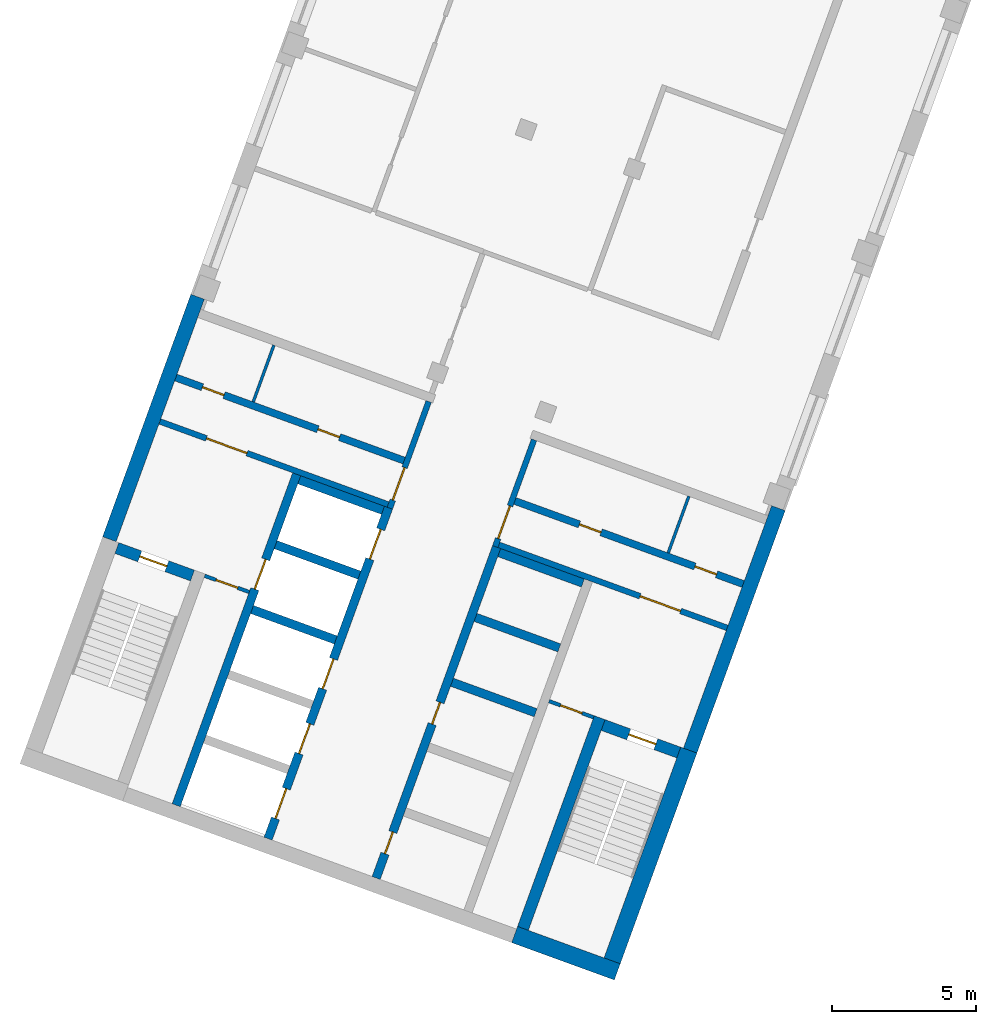
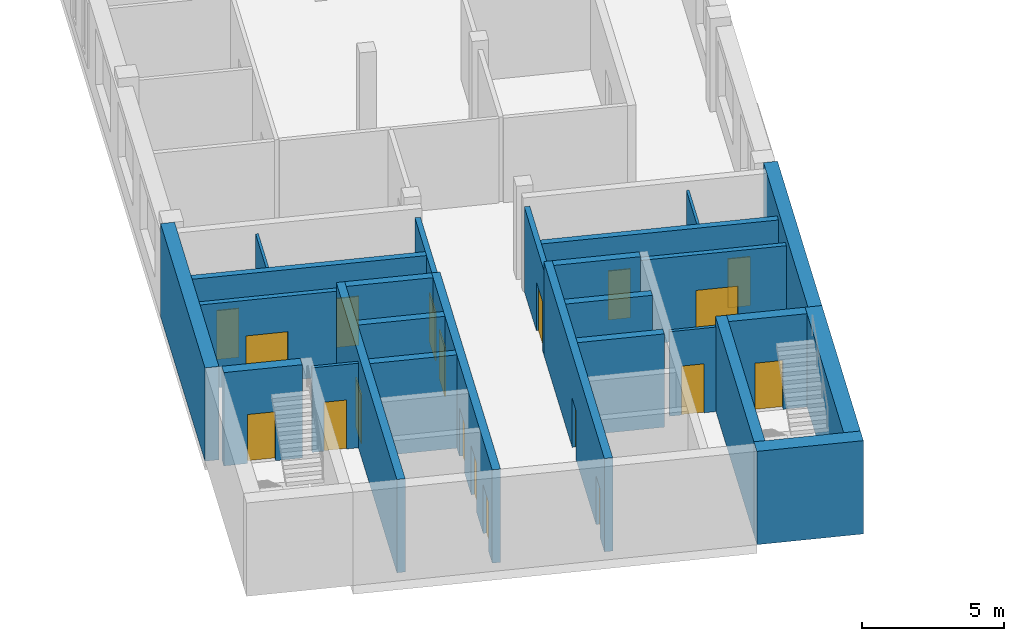
# One storey, part 2 of 8: 26 walls, 19 doors, 19 openings.
"""IFC4 building model written with IfcOpenShell, lengths in metres."""

from ifc_helpers import new_model, si_unit, direction, frame, frame_2d, origin, place, context, subcontext, project, spatial, rectangle, extrude, material, layer, layer_set, type_object, element, fill, save


model = new_model("IFC4")

# Units and contexts
model_context = context("Model", 3, precision=1e-05, world=origin(), true_north=direction((0.0, 1.0)))
body_context = subcontext(model_context, "Body", "Model", "MODEL_VIEW")
ifc_project = project(units=[si_unit("LENGTHUNIT", "METRE"), si_unit("AREAUNIT", "SQUARE_METRE"), si_unit("VOLUMEUNIT", "CUBIC_METRE"), si_unit("PLANEANGLEUNIT", "RADIAN"), si_unit("MASSUNIT", "GRAM", prefix="KILO")], contexts=[model_context])

# Site, building, storey
site_placement = place(None, origin())
site = spatial("IfcSite", under=ifc_project, at=site_placement, CompositionType="ELEMENT")
building_placement = place(site_placement, origin())
building = spatial("IfcBuilding", under=site, at=building_placement, Name="Skarvind Civic Tower", CompositionType="ELEMENT")
storey_placement = place(building_placement, frame((0.0, 0.0, 200.0)))
storey = spatial("IfcBuildingStorey", under=building, at=storey_placement, Name="L47", CompositionType="ELEMENT", Elevation=200.0)

# Wall, opening, door
ifc_material_1 = material(Name="Fire-rated masonry partition", Category="masonry")
ifc_layer_1 = layer(ifc_material_1, 0.199951171875)
ifc_layer_set_1 = layer_set([ifc_layer_1], Name="Core enclosure wall 200")
wall_type_1 = type_object("IfcWallType", Name="Core enclosure wall 200", PredefinedType="PARTITIONING", material=ifc_layer_set_1)
wall_1_placement = place(storey_placement, frame((31.42724609375, 93.663330078125, 0.0), z_axis=(0.0, 0.0, 1.0), x_axis=(0.342030870568, 0.93968871632, 0.0)))
wall_1 = element("IfcWall", 1, at=wall_1_placement, inside=storey, type_object=wall_type_1, Name="Core wall C2", PredefinedType="PARTITIONING", context=body_context, shape_type="SweptSolid", body=[
    extrude(rectangle(XDim=3.9501953125, YDim=0.199951171875, at=frame_2d((1.97509765625, 0.0))), origin(), (0.0, 0.0, 1.0), 3.625),
])
opening_1_placement = place(wall_1_placement, frame((0.300048828125, 0.0, 0.0)))
opening_1 = element("IfcOpeningElement", 2, at=opening_1_placement, cuts=wall_1, Name="Opening D-L47-C2-07", PredefinedType="OPENING", context=body_context, shape_type="SweptSolid", body=[
    extrude(rectangle(XDim=1.199951171875, YDim=2.10009765625, at=frame_2d((0.60009765625, 1.050048828125))), frame((0.0, 0.10986328125, 0.0), z_axis=(0.0, -1.0, 0.0), x_axis=(1.0, 0.0, 0.0)), (0.0, 0.0, 1.0), 0.219970703125),
])
ifc_material_2 = material(Name="Fire-rated steel door", Category="steel")
door_type_1 = type_object("IfcDoorType", Name="Core lobby door 1200", OperationType="NOTDEFINED", PredefinedType="DOOR", material=ifc_material_2)
door_1_placement = place(opening_1_placement, origin())
door_1 = element("IfcDoor", 3, at=door_1_placement, inside=storey, type_object=door_type_1, Name="Fire door", OperationType="DOUBLE_DOOR_SINGLE_SWING", OverallHeight=2.10009765625, OverallWidth=1.199951171875, PredefinedType="DOOR", context=body_context, shape_type="SweptSolid", body=[
    extrude(rectangle(XDim=1.199951171875, YDim=2.10009765625, at=frame_2d((0.60009765625, 1.050048828125))), frame((0.0, 0.02490234375, 0.0), z_axis=(0.0, -1.0, 0.0), x_axis=(1.0, 0.0, 0.0)), (0.0, 0.0, 1.0), 0.050048828125),
])
fill(opening_1, door_1)

wall_2_placement = place(storey_placement, frame((23.42724609375, 96.681640625, 0.0), z_axis=(0.0, 0.0, 1.0), x_axis=(0.939690465531, -0.342026064782, 0.0)))
wall_2 = element("IfcWall", 4, at=wall_2_placement, inside=storey, type_object=wall_type_1, Name="Core wall C2", PredefinedType="PARTITIONING", context=body_context, shape_type="SweptSolid", body=[
    extrude(rectangle(XDim=8.449951171875, YDim=0.199951171875, at=frame_2d((4.22509765625, 0.0))), origin(), (0.0, 0.0, 1.0), 3.625),
])
opening_2_placement = place(wall_2_placement, frame((1.72509765625, 0.0, 0.0)))
opening_2 = element("IfcOpeningElement", 5, at=opening_2_placement, cuts=wall_2, Name="Opening D-L47-C2-08", PredefinedType="OPENING", context=body_context, shape_type="SweptSolid", body=[
    extrude(rectangle(XDim=1.5, YDim=2.10009765625, at=frame_2d((0.75, 1.050048828125))), frame((0.0, 0.10986328125, 0.0), z_axis=(0.0, -1.0, 0.0), x_axis=(1.0, 0.0, 0.0)), (0.0, 0.0, 1.0), 0.219970703125),
])
door_type_2 = type_object("IfcDoorType", Name="Fire door 1500", OperationType="NOTDEFINED", PredefinedType="DOOR", material=ifc_material_2)
door_2_placement = place(opening_2_placement, origin())
door_2 = element("IfcDoor", 6, at=door_2_placement, inside=storey, type_object=door_type_2, Name="Fire door", OperationType="DOUBLE_DOOR_SINGLE_SWING", OverallHeight=2.10009765625, OverallWidth=1.5, PredefinedType="DOOR", context=body_context, shape_type="SweptSolid", body=[
    extrude(rectangle(XDim=1.5, YDim=2.10009765625, at=frame_2d((0.75, 1.050048828125))), frame((0.0, 0.02490234375, 0.0), z_axis=(0.0, -1.0, 0.0), x_axis=(1.0, 0.0, 0.0)), (0.0, 0.0, 1.0), 0.050048828125),
])
fill(opening_2, door_2)

wall_3_placement = place(storey_placement, frame((36.443115234375, 96.041259765625, 0.0), z_axis=(0.0, 0.0, 1.0), x_axis=(-0.341996156931, -0.939701350773, 0.0)))
wall_3 = element("IfcWall", 7, at=wall_3_placement, inside=storey, type_object=wall_type_1, Name="Core wall C2", PredefinedType="PARTITIONING", context=body_context, shape_type="SweptSolid", body=[
    extrude(rectangle(XDim=3.949951171875, YDim=0.199951171875, at=frame_2d((1.97509765625, 0.0))), origin(), (0.0, 0.0, 1.0), 3.625),
])
opening_3_placement = place(wall_3_placement, frame((2.449951171875, 0.0, 0.0)))
opening_3 = element("IfcOpeningElement", 8, at=opening_3_placement, cuts=wall_3, Name="Opening D-L47-C2-13", PredefinedType="OPENING", context=body_context, shape_type="SweptSolid", body=[
    extrude(rectangle(XDim=1.199951171875, YDim=2.10009765625, at=frame_2d((0.60009765625, 1.050048828125))), frame((0.0, 0.10986328125, 0.0), z_axis=(0.0, -1.0, 0.0), x_axis=(1.0, 0.0, 0.0)), (0.0, 0.0, 1.0), 0.219970703125),
])
door_3_placement = place(opening_3_placement, origin())
door_3 = element("IfcDoor", 9, at=door_3_placement, inside=storey, type_object=door_type_1, Name="Fire door", OperationType="DOUBLE_DOOR_SINGLE_SWING", OverallHeight=2.10009765625, OverallWidth=1.199951171875, PredefinedType="DOOR", context=body_context, shape_type="SweptSolid", body=[
    extrude(rectangle(XDim=1.199951171875, YDim=2.10009765625, at=frame_2d((0.60009765625, 1.050048828125))), frame((0.0, 0.02490234375, 0.0), z_axis=(0.0, -1.0, 0.0), x_axis=(1.0, 0.0, 0.0)), (0.0, 0.0, 1.0), 0.050048828125),
])
fill(opening_3, door_3)

wall_4_placement = place(storey_placement, frame((35.22021484375, 92.389404296875, 0.0), z_axis=(0.0, 0.0, 1.0), x_axis=(0.939690465531, -0.342026064782, 0.0)))
wall_4 = element("IfcWall", 10, at=wall_4_placement, inside=storey, type_object=wall_type_1, Name="Core wall C2", PredefinedType="PARTITIONING", context=body_context, shape_type="SweptSolid", body=[
    extrude(rectangle(XDim=8.449951171875, YDim=0.199951171875, at=frame_2d((4.22509765625, 0.0))), origin(), (0.0, 0.0, 1.0), 3.625),
])
opening_4_placement = place(wall_4_placement, frame((5.22509765625, 0.0, 0.0)))
opening_4 = element("IfcOpeningElement", 11, at=opening_4_placement, cuts=wall_4, Name="Opening D-L47-C2-14", PredefinedType="OPENING", context=body_context, shape_type="SweptSolid", body=[
    extrude(rectangle(XDim=1.5, YDim=2.10009765625, at=frame_2d((0.75, 1.050048828125))), frame((0.0, 0.10986328125, 0.0), z_axis=(0.0, -1.0, 0.0), x_axis=(1.0, 0.0, 0.0)), (0.0, 0.0, 1.0), 0.219970703125),
])
door_4_placement = place(opening_4_placement, origin())
door_4 = element("IfcDoor", 12, at=door_4_placement, inside=storey, type_object=door_type_2, Name="Fire door", OperationType="DOUBLE_DOOR_SINGLE_SWING", OverallHeight=2.10009765625, OverallWidth=1.5, PredefinedType="DOOR", context=body_context, shape_type="SweptSolid", body=[
    extrude(rectangle(XDim=1.5, YDim=2.10009765625, at=frame_2d((0.75, 1.050048828125))), frame((0.0, 0.02490234375, 0.0), z_axis=(0.0, -1.0, 0.0), x_axis=(1.0, 0.0, 0.0)), (0.0, 0.0, 1.0), 0.050048828125),
])
fill(opening_4, door_4)

# Walls
ifc_material_3 = material(Name="Fire-rated plasterboard partition")
ifc_layer_2 = layer(ifc_material_3, 0.10009765625)
ifc_layer_set_2 = layer_set([ifc_layer_2], Name="Core partition wall 100")
wall_type_2 = type_object("IfcWallType", Name="Core partition wall 100", PredefinedType="PARTITIONING", material=ifc_layer_set_2)
for number, where, z_axis, x_axis, name in (
    (13, (26.675537109375, 97.361572265625, 0.0), (0.0, 0.0, 1.0), (0.342023078919, 0.939691552312, 0.0), "Core wall C2"),
    (14, (41.82763671875, 94.08154296875, 0.0), (0.0, 0.0, 1.0), (-0.342023078919, -0.939691552312, 0.0), "Core wall C2"),
):
    element("IfcWall", number, at=place(storey_placement, frame(where, z_axis=z_axis, x_axis=x_axis)), inside=storey, type_object=wall_type_2, Name=name, PredefinedType="PARTITIONING", context=body_context, shape_type="SweptSolid", body=[
        extrude(rectangle(XDim=2.10009765625, YDim=0.10009765625, at=frame_2d((1.050048828125, 0.0))), origin(), (0.0, 0.0, 1.0), 3.625),
    ])

# Wall, openings, doors
ifc_material_4 = material(Name="Concrete C60", Category="concrete")
ifc_layer_3 = layer(ifc_material_4, 0.300048828125)
ifc_layer_set_3 = layer_set([ifc_layer_3], Name="Core wall 300 C60")
wall_type_3 = type_object("IfcWallType", Name="Core wall 300 C60", PredefinedType="SHEAR", material=ifc_layer_set_3)
wall_5_placement = place(storey_placement, frame((30.949462890625, 80.80126953125, 0.0), z_axis=(0.0, 0.0, 1.0), x_axis=(0.342016684409, 0.939693879721, 0.0)))
wall_5 = element("IfcWall", 15, at=wall_5_placement, inside=storey, type_object=wall_type_3, Name="Core wall C2 south lift row front L47", PredefinedType="SHEAR", context=body_context, shape_type="SweptSolid", body=[
    extrude(rectangle(XDim=12.25, YDim=0.300048828125, at=frame_2d((6.125, 0.0))), origin(), (0.0, 0.0, 1.0), 4.0),
])
opening_5_placement = place(wall_5_placement, frame((0.89990234375, 0.0, 0.0)))
opening_5 = element("IfcOpeningElement", 16, at=opening_5_placement, cuts=wall_5, Name="Opening D-L47-C2-05", PredefinedType="OPENING", context=body_context, shape_type="SweptSolid", body=[
    extrude(rectangle(XDim=0.800048828125, YDim=2.10009765625, at=frame_2d((0.39990234375, 1.050048828125))), frame((0.0, 0.159912109375, 0.0), z_axis=(0.0, -1.0, 0.0), x_axis=(1.0, 0.0, 0.0)), (0.0, 0.0, 1.0), 0.320068359375),
])
opening_6_placement = place(wall_5_placement, frame((5.699951171875, 0.0, 0.0)))
opening_6 = element("IfcOpeningElement", 17, at=opening_6_placement, cuts=wall_5, Name="Opening D-L47-C2-06", PredefinedType="OPENING", context=body_context, shape_type="SweptSolid", body=[
    extrude(rectangle(XDim=0.800048828125, YDim=2.10009765625, at=frame_2d((0.39990234375, 1.050048828125))), frame((0.0, 0.159912109375, 0.0), z_axis=(0.0, -1.0, 0.0), x_axis=(1.0, 0.0, 0.0)), (0.0, 0.0, 1.0), 0.320068359375),
])
door_type_3 = type_object("IfcDoorType", Name="Core riser door 800", OperationType="NOTDEFINED", PredefinedType="DOOR", material=ifc_material_2)
door_5_placement = place(opening_5_placement, origin())
door_5 = element("IfcDoor", 18, at=door_5_placement, inside=storey, type_object=door_type_3, Name="Riser door", OperationType="SINGLE_SWING_LEFT", OverallHeight=2.10009765625, OverallWidth=0.800048828125, PredefinedType="DOOR", context=body_context, shape_type="SweptSolid", body=[
    extrude(rectangle(XDim=0.800048828125, YDim=2.10009765625, at=frame_2d((0.39990234375, 1.050048828125))), frame((0.0, 0.02490234375, 0.0), z_axis=(0.0, -1.0, 0.0), x_axis=(1.0, 0.0, 0.0)), (0.0, 0.0, 1.0), 0.050048828125),
])
fill(opening_5, door_5)
door_6_placement = place(opening_6_placement, origin())
door_6 = element("IfcDoor", 19, at=door_6_placement, inside=storey, type_object=door_type_3, Name="Riser door", OperationType="SINGLE_SWING_RIGHT", OverallHeight=2.10009765625, OverallWidth=0.800048828125, PredefinedType="DOOR", context=body_context, shape_type="SweptSolid", body=[
    extrude(rectangle(XDim=0.800048828125, YDim=2.10009765625, at=frame_2d((0.39990234375, 1.050048828125))), frame((0.0, 0.02490234375, 0.0), z_axis=(0.0, -1.0, 0.0), x_axis=(1.0, 0.0, 0.0)), (0.0, 0.0, 1.0), 0.050048828125),
])
fill(opening_6, door_6)

# Walls
for number, where, z_axis, x_axis, name in (
    (20, (36.500244140625, 86.54931640625, 0.0), (0.0, 0.0, 1.0), (-0.939689908313, 0.342027595692, 0.0), "Core wall C2 south lift row division 3 L47"),
    (21, (37.321044921875, 88.8046875, 0.0), (0.0, 0.0, 1.0), (-0.939689908313, 0.342027595692, 0.0), "Core wall C2 south lift row division 4 L47"),
    (22, (38.141845703125, 91.059814453125, 0.0), (0.0, 0.0, 1.0), (-0.939689908313, 0.342027595692, 0.0), "Core wall C2 south lift row division 5 L47"),
):
    element("IfcWall", number, at=place(storey_placement, frame(where, z_axis=z_axis, x_axis=x_axis)), inside=storey, type_object=wall_type_3, Name=name, PredefinedType="SHEAR", context=body_context, shape_type="SweptSolid", body=[
        extrude(rectangle(XDim=3.10009765625, YDim=0.300048828125, at=frame_2d((1.550048828125, 0.0))), origin(), (0.0, 0.0, 1.0), 4.0),
    ])

# Wall, openings, doors
wall_6_placement = place(storey_placement, frame((27.190673828125, 82.169189453125, 0.0), z_axis=(0.0, 0.0, 1.0), x_axis=(0.342016684409, 0.939693879721, 0.0)))
wall_6 = element("IfcWall", 23, at=wall_6_placement, inside=storey, type_object=wall_type_3, Name="Core wall C2 north lift row front L47", PredefinedType="SHEAR", context=body_context, shape_type="SweptSolid", body=[
    extrude(rectangle(XDim=12.25, YDim=0.300048828125, at=frame_2d((6.125, 0.0))), origin(), (0.0, 0.0, 1.0), 4.0),
])
opening_7_placement = place(wall_6_placement, frame((0.75, 0.0, 0.0)))
opening_7 = element("IfcOpeningElement", 24, at=opening_7_placement, cuts=wall_6, Name="Opening LD49201", PredefinedType="OPENING", context=body_context, shape_type="SweptSolid", body=[
    extrude(rectangle(XDim=1.10009765625, YDim=2.10009765625, at=frame_2d((0.550048828125, 1.050048828125))), frame((0.0, 0.159912109375, 0.0), z_axis=(0.0, -1.0, 0.0), x_axis=(1.0, 0.0, 0.0)), (0.0, 0.0, 1.0), 0.320068359375),
])
opening_8_placement = place(wall_6_placement, frame((3.14990234375, 0.0, 0.0)))
opening_8 = element("IfcOpeningElement", 25, at=opening_8_placement, cuts=wall_6, Name="Opening LD49202", PredefinedType="OPENING", context=body_context, shape_type="SweptSolid", body=[
    extrude(rectangle(XDim=1.10009765625, YDim=2.10009765625, at=frame_2d((0.550048828125, 1.050048828125))), frame((0.0, 0.159912109375, 0.0), z_axis=(0.0, -1.0, 0.0), x_axis=(1.0, 0.0, 0.0)), (0.0, 0.0, 1.0), 0.320068359375),
])
opening_9_placement = place(wall_6_placement, frame((5.550048828125, 0.0, 0.0)))
opening_9 = element("IfcOpeningElement", 26, at=opening_9_placement, cuts=wall_6, Name="Opening LD49203", PredefinedType="OPENING", context=body_context, shape_type="SweptSolid", body=[
    extrude(rectangle(XDim=1.10009765625, YDim=2.10009765625, at=frame_2d((0.550048828125, 1.050048828125))), frame((0.0, 0.159912109375, 0.0), z_axis=(0.0, -1.0, 0.0), x_axis=(1.0, 0.0, 0.0)), (0.0, 0.0, 1.0), 0.320068359375),
])
opening_10_placement = place(wall_6_placement, frame((10.35009765625, 0.0, 0.0)))
opening_10 = element("IfcOpeningElement", 27, at=opening_10_placement, cuts=wall_6, Name="Opening LD49205", PredefinedType="OPENING", context=body_context, shape_type="SweptSolid", body=[
    extrude(rectangle(XDim=1.10009765625, YDim=2.10009765625, at=frame_2d((0.550048828125, 1.050048828125))), frame((0.0, 0.159912109375, 0.0), z_axis=(0.0, -1.0, 0.0), x_axis=(1.0, 0.0, 0.0)), (0.0, 0.0, 1.0), 0.320068359375),
])
ifc_material_5 = material(Name="Stainless steel landing door", Category="steel")
door_type_4 = type_object("IfcDoorType", Name="Lift landing door 1100", OperationType="DOUBLE_DOOR_SLIDING", PredefinedType="DOOR", material=ifc_material_5)
door_7_placement = place(opening_7_placement, origin())
door_7 = element("IfcDoor", 28, at=door_7_placement, inside=storey, type_object=door_type_4, Name="Lift landing door", OperationType="DOUBLE_DOOR_SLIDING", OverallHeight=2.10009765625, OverallWidth=1.10009765625, PredefinedType="DOOR", context=body_context, shape_type="SweptSolid", body=[
    extrude(rectangle(XDim=1.10009765625, YDim=2.10009765625, at=frame_2d((0.550048828125, 1.050048828125))), frame((0.0, 0.02490234375, 0.0), z_axis=(0.0, -1.0, 0.0), x_axis=(1.0, 0.0, 0.0)), (0.0, 0.0, 1.0), 0.050048828125),
])
fill(opening_7, door_7)
door_8_placement = place(opening_8_placement, origin())
door_8 = element("IfcDoor", 29, at=door_8_placement, inside=storey, type_object=door_type_4, Name="Lift landing door", OperationType="DOUBLE_DOOR_SLIDING", OverallHeight=2.10009765625, OverallWidth=1.10009765625, PredefinedType="DOOR", context=body_context, shape_type="SweptSolid", body=[
    extrude(rectangle(XDim=1.10009765625, YDim=2.10009765625, at=frame_2d((0.550048828125, 1.050048828125))), frame((0.0, 0.02490234375, 0.0), z_axis=(0.0, -1.0, 0.0), x_axis=(1.0, 0.0, 0.0)), (0.0, 0.0, 1.0), 0.050048828125),
])
fill(opening_8, door_8)
door_9_placement = place(opening_9_placement, origin())
door_9 = element("IfcDoor", 30, at=door_9_placement, inside=storey, type_object=door_type_4, Name="Lift landing door", OperationType="DOUBLE_DOOR_SLIDING", OverallHeight=2.10009765625, OverallWidth=1.10009765625, PredefinedType="DOOR", context=body_context, shape_type="SweptSolid", body=[
    extrude(rectangle(XDim=1.10009765625, YDim=2.10009765625, at=frame_2d((0.550048828125, 1.050048828125))), frame((0.0, 0.02490234375, 0.0), z_axis=(0.0, -1.0, 0.0), x_axis=(1.0, 0.0, 0.0)), (0.0, 0.0, 1.0), 0.050048828125),
])
fill(opening_9, door_9)
door_10_placement = place(opening_10_placement, origin())
door_10 = element("IfcDoor", 31, at=door_10_placement, inside=storey, type_object=door_type_4, Name="Lift landing door", OperationType="DOUBLE_DOOR_SLIDING", OverallHeight=2.10009765625, OverallWidth=1.10009765625, PredefinedType="DOOR", context=body_context, shape_type="SweptSolid", body=[
    extrude(rectangle(XDim=1.10009765625, YDim=2.10009765625, at=frame_2d((0.550048828125, 1.050048828125))), frame((0.0, 0.02490234375, 0.0), z_axis=(0.0, -1.0, 0.0), x_axis=(1.0, 0.0, 0.0)), (0.0, 0.0, 1.0), 0.050048828125),
])
fill(opening_10, door_10)

# Wall, opening, door
wall_7_placement = place(storey_placement, frame((23.99560546875, 83.33203125, 0.0), z_axis=(0.0, 0.0, 1.0), x_axis=(0.342016684409, 0.939693879721, 0.0)))
wall_7 = element("IfcWall", 32, at=wall_7_placement, inside=storey, type_object=wall_type_3, Name="Core wall C2 north lift row back L47", PredefinedType="SHEAR", context=body_context, shape_type="SweptSolid", body=[
    extrude(rectangle(XDim=12.25, YDim=0.300048828125, at=frame_2d((6.125, 0.0))), origin(), (0.0, 0.0, 1.0), 4.0),
])
opening_11_placement = place(wall_7_placement, frame((8.0, 0.0, 0.0)))
opening_11 = element("IfcOpeningElement", 33, at=opening_11_placement, cuts=wall_7, Name="Opening LD49204", PredefinedType="OPENING", context=body_context, shape_type="SweptSolid", body=[
    extrude(rectangle(XDim=1.10009765625, YDim=2.10009765625, at=frame_2d((0.550048828125, 1.050048828125))), frame((0.0, 0.159912109375, 0.0), z_axis=(0.0, -1.0, 0.0), x_axis=(1.0, 0.0, 0.0)), (0.0, 0.0, 1.0), 0.320068359375),
])
door_11_placement = place(opening_11_placement, origin())
door_11 = element("IfcDoor", 34, at=door_11_placement, inside=storey, type_object=door_type_4, Name="Lift landing door", OperationType="DOUBLE_DOOR_SLIDING", OverallHeight=2.10009765625, OverallWidth=1.10009765625, PredefinedType="DOOR", context=body_context, shape_type="SweptSolid", body=[
    extrude(rectangle(XDim=1.10009765625, YDim=2.10009765625, at=frame_2d((0.550048828125, 1.050048828125))), frame((0.0, 0.02490234375, 0.0), z_axis=(0.0, -1.0, 0.0), x_axis=(1.0, 0.0, 0.0)), (0.0, 0.0, 1.0), 0.050048828125),
])
fill(opening_11, door_11)

# Walls
wall_8_placement = place(storey_placement, frame((29.54638671875, 89.080322265625, 0.0), z_axis=(0.0, 0.0, 1.0), x_axis=(-0.939689908313, 0.342027595692, 0.0)))
element("IfcWall", 35, at=wall_8_placement, inside=storey, type_object=wall_type_3, Name="Core wall C2 north lift row division 3 L47", PredefinedType="SHEAR", context=body_context, shape_type="SweptSolid", body=[
    extrude(rectangle(XDim=3.10009765625, YDim=0.300048828125, at=frame_2d((1.550048828125, 0.0))), origin(), (0.0, 0.0, 1.0), 4.0),
])
for number, where, z_axis, x_axis, name in (
    (36, (30.3671875, 91.335693359375, 0.0), (0.0, 0.0, 1.0), (-0.939715217871, 0.341958051961, 0.0), "Core wall C2 north lift row division 4 L47"),
    (37, (31.18798828125, 93.5908203125, 0.0), (0.0, 0.0, 1.0), (-0.939680694448, 0.342052908892, 0.0), "Core wall C2 north lift row division 5 L47"),
):
    element("IfcWall", number, at=place(storey_placement, frame(where, z_axis=z_axis, x_axis=x_axis)), inside=storey, type_object=wall_type_3, Name=name, PredefinedType="SHEAR", context=body_context, shape_type="SweptSolid", body=[
        extrude(rectangle(XDim=3.099853515625, YDim=0.300048828125, at=frame_2d((1.5498046875, 0.0))), origin(), (0.0, 0.0, 1.0), 4.0),
    ])
ifc_layer_4 = layer(ifc_material_4, 0.39990234375)
ifc_layer_set_4 = layer_set([ifc_layer_4], Name="Core wall 400 C60")
wall_type_4 = type_object("IfcWallType", Name="Core wall 400 C60", PredefinedType="SHEAR", material=ifc_layer_set_4)
wall_9_placement = place(storey_placement, frame((36.057861328125, 79.04833984375, 0.0), z_axis=(0.0, 0.0, 1.0), x_axis=(0.342016982193, 0.939693771338, 0.0)))
element("IfcWall", 38, at=wall_9_placement, inside=storey, type_object=wall_type_4, Name="Core wall C2 south stair inner L47", PredefinedType="SHEAR", context=body_context, shape_type="SweptSolid", body=[
    extrude(rectangle(XDim=7.800048828125, YDim=0.39990234375, at=frame_2d((3.89990234375, 0.0))), origin(), (0.0, 0.0, 1.0), 4.0),
])

# Wall, opening, door
wall_10_placement = place(storey_placement, frame((41.476318359375, 85.163818359375, 0.0), z_axis=(0.0, 0.0, 1.0), x_axis=(-0.939678810556, 0.342058084236, 0.0)))
wall_10 = element("IfcWall", 39, at=wall_10_placement, inside=storey, type_object=wall_type_4, Name="Core wall C2 south stair end L47", PredefinedType="SHEAR", context=body_context, shape_type="SweptSolid", body=[
    extrude(rectangle(XDim=2.800048828125, YDim=0.39990234375, at=frame_2d((1.39990234375, 0.0))), origin(), (0.0, 0.0, 1.0), 4.0),
])
opening_12_placement = place(wall_10_placement, frame((0.85009765625, 0.0, 0.0)))
opening_12 = element("IfcOpeningElement", 40, at=opening_12_placement, cuts=wall_10, Name="Opening D-L47-C2-15", PredefinedType="OPENING", context=body_context, shape_type="SweptSolid", body=[
    extrude(rectangle(XDim=1.0, YDim=2.10009765625, at=frame_2d((0.5, 1.050048828125))), frame((0.0, 0.2099609375, 0.0), z_axis=(0.0, -1.0, 0.0), x_axis=(1.0, 0.0, 0.0)), (0.0, 0.0, 1.0), 0.419921875),
])
door_type_5 = type_object("IfcDoorType", Name="Fire door 1000", OperationType="NOTDEFINED", PredefinedType="DOOR", material=ifc_material_2)
door_12_placement = place(opening_12_placement, origin())
door_12 = element("IfcDoor", 41, at=door_12_placement, inside=storey, type_object=door_type_5, Name="Fire door", OperationType="SINGLE_SWING_RIGHT", OverallHeight=2.10009765625, OverallWidth=1.0, PredefinedType="DOOR", context=body_context, shape_type="SweptSolid", body=[
    extrude(rectangle(XDim=1.0, YDim=2.10009765625, at=frame_2d((0.5, 1.050048828125))), frame((0.0, 0.02490234375, 0.0), z_axis=(0.0, -1.0, 0.0), x_axis=(1.0, 0.0, 0.0)), (0.0, 0.0, 1.0), 0.050048828125),
])
fill(opening_12, door_12)

wall_11_placement = place(storey_placement, frame((24.56201171875, 91.3203125, 0.0), z_axis=(0.0, 0.0, 1.0), x_axis=(-0.939717030584, 0.341953070509, 0.0)))
wall_11 = element("IfcWall", 42, at=wall_11_placement, inside=storey, type_object=wall_type_4, Name="Core wall C2 north stair end L47", PredefinedType="SHEAR", context=body_context, shape_type="SweptSolid", body=[
    extrude(rectangle(XDim=2.800048828125, YDim=0.39990234375, at=frame_2d((1.39990234375, 0.0))), origin(), (0.0, 0.0, 1.0), 4.0),
])
opening_13_placement = place(wall_11_placement, frame((0.949951171875, 0.0, 0.0)))
opening_13 = element("IfcOpeningElement", 43, at=opening_13_placement, cuts=wall_11, Name="Opening D-L47-C2-09", PredefinedType="OPENING", context=body_context, shape_type="SweptSolid", body=[
    extrude(rectangle(XDim=1.0, YDim=2.10009765625, at=frame_2d((0.5, 1.050048828125))), frame((0.0, 0.2099609375, 0.0), z_axis=(0.0, -1.0, 0.0), x_axis=(1.0, 0.0, 0.0)), (0.0, 0.0, 1.0), 0.419921875),
])
door_13_placement = place(opening_13_placement, origin())
door_13 = element("IfcDoor", 44, at=door_13_placement, inside=storey, type_object=door_type_5, Name="Fire door", OperationType="SINGLE_SWING_LEFT", OverallHeight=2.10009765625, OverallWidth=1.0, PredefinedType="DOOR", context=body_context, shape_type="SweptSolid", body=[
    extrude(rectangle(XDim=1.0, YDim=2.10009765625, at=frame_2d((0.5, 1.050048828125))), frame((0.0, 0.02490234375, 0.0), z_axis=(0.0, -1.0, 0.0), x_axis=(1.0, 0.0, 0.0)), (0.0, 0.0, 1.0), 0.050048828125),
])
fill(opening_13, door_13)

# Walls
ifc_layer_5 = layer(ifc_material_4, 0.5)
ifc_layer_set_5 = layer_set([ifc_layer_5], Name="Core wall 500 C60")
wall_type_5 = type_object("IfcWallType", Name="Core wall 500 C60", PredefinedType="SHEAR", material=ifc_layer_set_5)
wall_12_placement = place(storey_placement, frame((41.873779296875, 85.232177734375, 0.0), z_axis=(0.0, 0.0, 1.0), x_axis=(0.342020437038, 0.939692513883, 0.0)))
element("IfcWall", 45, at=wall_12_placement, inside=storey, type_object=wall_type_5, Name="Core wall C2 south side L47", PredefinedType="SHEAR", context=body_context, shape_type="SweptSolid", body=[
    extrude(rectangle(XDim=8.974853515625, YDim=0.5, at=frame_2d((4.4873046875, 0.0))), origin(), (0.0, 0.0, 1.0), 4.0),
])
wall_13_placement = place(storey_placement, frame((21.670166015625, 92.58544921875, 0.0), z_axis=(0.0, 0.0, 1.0), x_axis=(0.342035714298, 0.93968695327, 0.0)))
element("IfcWall", 46, at=wall_13_placement, inside=storey, type_object=wall_type_5, Name="Core wall C2 north side L47", PredefinedType="SHEAR", context=body_context, shape_type="SweptSolid", body=[
    extrude(rectangle(XDim=8.97509765625, YDim=0.5, at=frame_2d((4.487548828125, 0.0))), origin(), (0.0, 0.0, 1.0), 4.0),
])
ifc_layer_6 = layer(ifc_material_4, 0.60009765625)
ifc_layer_set_6 = layer_set([ifc_layer_6], Name="Core wall 600 C60")
wall_type_6 = type_object("IfcWallType", Name="Core wall 600 C60", PredefinedType="SHEAR", material=ifc_layer_set_6)
wall_14_placement = place(storey_placement, frame((39.338134765625, 77.53515625, 0.0), z_axis=(0.0, 0.0, 1.0), x_axis=(-0.939701471648, 0.341995824804, 0.0)))
element("IfcWall", 47, at=wall_14_placement, inside=storey, type_object=wall_type_6, Name="Core wall C2 tip at the south stair L47", PredefinedType="SHEAR", context=body_context, shape_type="SweptSolid", body=[
    extrude(rectangle(XDim=3.800048828125, YDim=0.60009765625, at=frame_2d((1.89990234375, 0.0))), origin(), (0.0, 0.0, 1.0), 4.0),
])
wall_15_placement = place(storey_placement, frame((39.158935546875, 77.919677734375, 0.0), z_axis=(0.0, 0.0, 1.0), x_axis=(0.342016982193, 0.939693771338, 0.0)))
element("IfcWall", 48, at=wall_15_placement, inside=storey, type_object=wall_type_6, Name="Core wall C2 south side at the stair L47", PredefinedType="SHEAR", context=body_context, shape_type="SweptSolid", body=[
    extrude(rectangle(XDim=7.800048828125, YDim=0.60009765625, at=frame_2d((3.89990234375, 0.0))), origin(), (0.0, 0.0, 1.0), 4.0),
])

# Wall, opening, door
ifc_layer_7 = layer(ifc_material_1, 0.125)
ifc_layer_set_7 = layer_set([ifc_layer_7], Name="Riser wall 125")
wall_type_7 = type_object("IfcWallType", Name="Riser wall 125", PredefinedType="PARTITIONING", material=ifc_layer_set_7)
wall_16_placement = place(storey_placement, frame((24.98486328125, 91.3125, 0.0), z_axis=(0.0, 0.0, 1.0), x_axis=(0.939719959755, -0.341945020783, 0.0)))
wall_16 = element("IfcWall", 49, at=wall_16_placement, inside=storey, type_object=wall_type_7, Name="Core wall C2", PredefinedType="PARTITIONING", context=body_context, shape_type="SweptSolid", body=[
    extrude(rectangle(XDim=1.64990234375, YDim=0.125, at=frame_2d((0.824951171875, 0.0))), origin(), (0.0, 0.0, 1.0), 3.625),
])
opening_14_placement = place(wall_16_placement, frame((0.425048828125, 0.0, 0.0)))
opening_14 = element("IfcOpeningElement", 50, at=opening_14_placement, cuts=wall_16, Name="Opening D-L47-C2-10", PredefinedType="OPENING", context=body_context, shape_type="SweptSolid", body=[
    extrude(rectangle(XDim=0.800048828125, YDim=2.10009765625, at=frame_2d((0.39990234375, 1.050048828125))), frame((0.0, 0.072509765625, 0.0), z_axis=(0.0, -1.0, 0.0), x_axis=(1.0, 0.0, 0.0)), (0.0, 0.0, 1.0), 0.14501953125),
])
door_14_placement = place(opening_14_placement, origin())
door_14 = element("IfcDoor", 51, at=door_14_placement, inside=storey, type_object=door_type_3, Name="Riser door", OperationType="SINGLE_SWING_RIGHT", OverallHeight=2.10009765625, OverallWidth=0.800048828125, PredefinedType="DOOR", context=body_context, shape_type="SweptSolid", body=[
    extrude(rectangle(XDim=0.800048828125, YDim=2.10009765625, at=frame_2d((0.39990234375, 1.050048828125))), frame((0.0, 0.02490234375, 0.0), z_axis=(0.0, -1.0, 0.0), x_axis=(1.0, 0.0, 0.0)), (0.0, 0.0, 1.0), 0.050048828125),
])
fill(opening_14, door_14)

wall_17_placement = place(storey_placement, frame((36.9658203125, 86.951904296875, 0.0), z_axis=(0.0, 0.0, 1.0), x_axis=(0.939672407396, -0.342075674051, 0.0)))
wall_17 = element("IfcWall", 52, at=wall_17_placement, inside=storey, type_object=wall_type_7, Name="Core wall C2", PredefinedType="PARTITIONING", context=body_context, shape_type="SweptSolid", body=[
    extrude(rectangle(XDim=1.650146484375, YDim=0.125, at=frame_2d((0.8251953125, 0.0))), origin(), (0.0, 0.0, 1.0), 3.625),
])
opening_15_placement = place(wall_17_placement, frame((0.425048828125, 0.0, 0.0)))
opening_15 = element("IfcOpeningElement", 53, at=opening_15_placement, cuts=wall_17, Name="Opening D-L47-C2-16", PredefinedType="OPENING", context=body_context, shape_type="SweptSolid", body=[
    extrude(rectangle(XDim=0.800048828125, YDim=2.10009765625, at=frame_2d((0.39990234375, 1.050048828125))), frame((0.0, 0.072509765625, 0.0), z_axis=(0.0, -1.0, 0.0), x_axis=(1.0, 0.0, 0.0)), (0.0, 0.0, 1.0), 0.14501953125),
])
door_15_placement = place(opening_15_placement, origin())
door_15 = element("IfcDoor", 54, at=door_15_placement, inside=storey, type_object=door_type_3, Name="Riser door", OperationType="SINGLE_SWING_LEFT", OverallHeight=2.10009765625, OverallWidth=0.800048828125, PredefinedType="DOOR", context=body_context, shape_type="SweptSolid", body=[
    extrude(rectangle(XDim=0.800048828125, YDim=2.10009765625, at=frame_2d((0.39990234375, 1.050048828125))), frame((0.0, 0.02490234375, 0.0), z_axis=(0.0, -1.0, 0.0), x_axis=(1.0, 0.0, 0.0)), (0.0, 0.0, 1.0), 0.050048828125),
])
fill(opening_15, door_15)

# Wall, openings, doors
ifc_layer_8 = layer(ifc_material_1, 0.25)
ifc_layer_set_8 = layer_set([ifc_layer_8], Name="Service block wall 250")
wall_type_8 = type_object("IfcWallType", Name="Service block wall 250", PredefinedType="PARTITIONING", material=ifc_layer_set_8)
wall_18_placement = place(storey_placement, frame((23.98291015625, 98.20849609375, 0.0), z_axis=(0.0, 0.0, 1.0), x_axis=(0.939699751196, -0.342000552051, 0.0)))
wall_18 = element("IfcWall", 55, at=wall_18_placement, inside=storey, type_object=wall_type_8, Name="Core wall C2", PredefinedType="PARTITIONING", context=body_context, shape_type="SweptSolid", body=[
    extrude(rectangle(XDim=8.449951171875, YDim=0.25, at=frame_2d((4.22509765625, 0.0))), origin(), (0.0, 0.0, 1.0), 3.625),
])
opening_16_placement = place(wall_18_placement, frame((5.260009765625, 0.0, 0.0)))
opening_16 = element("IfcOpeningElement", 56, at=opening_16_placement, cuts=wall_18, Name="Opening D-L47-C2-11", PredefinedType="OPENING", context=body_context, shape_type="SweptSolid", body=[
    extrude(rectangle(XDim=0.800048828125, YDim=2.10009765625, at=frame_2d((0.39990234375, 1.050048828125))), frame((0.0, 0.135009765625, 0.0), z_axis=(0.0, -1.0, 0.0), x_axis=(1.0, 0.0, 0.0)), (0.0, 0.0, 1.0), 0.27001953125),
])
opening_17_placement = place(wall_18_placement, frame((0.985107421875, 0.0, 0.0)))
opening_17 = element("IfcOpeningElement", 57, at=opening_17_placement, cuts=wall_18, Name="Opening D-L47-C2-12", PredefinedType="OPENING", context=body_context, shape_type="SweptSolid", body=[
    extrude(rectangle(XDim=0.800048828125, YDim=2.10009765625, at=frame_2d((0.39990234375, 1.050048828125))), frame((0.0, 0.135009765625, 0.0), z_axis=(0.0, -1.0, 0.0), x_axis=(1.0, 0.0, 0.0)), (0.0, 0.0, 1.0), 0.27001953125),
])
door_16_placement = place(opening_16_placement, origin())
door_16 = element("IfcDoor", 58, at=door_16_placement, inside=storey, type_object=door_type_3, Name="Riser door", OperationType="SINGLE_SWING_LEFT", OverallHeight=2.10009765625, OverallWidth=0.800048828125, PredefinedType="DOOR", context=body_context, shape_type="SweptSolid", body=[
    extrude(rectangle(XDim=0.800048828125, YDim=2.10009765625, at=frame_2d((0.39990234375, 1.050048828125))), frame((0.0, 0.02490234375, 0.0), z_axis=(0.0, -1.0, 0.0), x_axis=(1.0, 0.0, 0.0)), (0.0, 0.0, 1.0), 0.050048828125),
])
fill(opening_16, door_16)
door_17_placement = place(opening_17_placement, origin())
door_17 = element("IfcDoor", 59, at=door_17_placement, inside=storey, type_object=door_type_3, Name="Riser door", OperationType="SINGLE_SWING_RIGHT", OverallHeight=2.10009765625, OverallWidth=0.800048828125, PredefinedType="DOOR", context=body_context, shape_type="SweptSolid", body=[
    extrude(rectangle(XDim=0.800048828125, YDim=2.10009765625, at=frame_2d((0.39990234375, 1.050048828125))), frame((0.0, 0.02490234375, 0.0), z_axis=(0.0, -1.0, 0.0), x_axis=(1.0, 0.0, 0.0)), (0.0, 0.0, 1.0), 0.050048828125),
])
fill(opening_17, door_17)

wall_19_placement = place(storey_placement, frame((35.776123046875, 93.916259765625, 0.0), z_axis=(0.0, 0.0, 1.0), x_axis=(0.939690465531, -0.342026064782, 0.0)))
wall_19 = element("IfcWall", 60, at=wall_19_placement, inside=storey, type_object=wall_type_8, Name="Core wall C2", PredefinedType="PARTITIONING", context=body_context, shape_type="SweptSolid", body=[
    extrude(rectangle(XDim=8.449951171875, YDim=0.25, at=frame_2d((4.22509765625, 0.0))), origin(), (0.0, 0.0, 1.0), 3.625),
])
opening_18_placement = place(wall_19_placement, frame((2.389892578125, 0.0, 0.0)))
opening_18 = element("IfcOpeningElement", 61, at=opening_18_placement, cuts=wall_19, Name="Opening D-L47-C2-17", PredefinedType="OPENING", context=body_context, shape_type="SweptSolid", body=[
    extrude(rectangle(XDim=0.800048828125, YDim=2.10009765625, at=frame_2d((0.39990234375, 1.050048828125))), frame((0.0, 0.135009765625, 0.0), z_axis=(0.0, -1.0, 0.0), x_axis=(1.0, 0.0, 0.0)), (0.0, 0.0, 1.0), 0.27001953125),
])
opening_19_placement = place(wall_19_placement, frame((6.6650390625, 0.0, 0.0)))
opening_19 = element("IfcOpeningElement", 62, at=opening_19_placement, cuts=wall_19, Name="Opening D-L47-C2-18", PredefinedType="OPENING", context=body_context, shape_type="SweptSolid", body=[
    extrude(rectangle(XDim=0.800048828125, YDim=2.10009765625, at=frame_2d((0.39990234375, 1.050048828125))), frame((0.0, 0.135009765625, 0.0), z_axis=(0.0, -1.0, 0.0), x_axis=(1.0, 0.0, 0.0)), (0.0, 0.0, 1.0), 0.27001953125),
])
door_18_placement = place(opening_18_placement, origin())
door_18 = element("IfcDoor", 63, at=door_18_placement, inside=storey, type_object=door_type_3, Name="Riser door", OperationType="SINGLE_SWING_RIGHT", OverallHeight=2.10009765625, OverallWidth=0.800048828125, PredefinedType="DOOR", context=body_context, shape_type="SweptSolid", body=[
    extrude(rectangle(XDim=0.800048828125, YDim=2.10009765625, at=frame_2d((0.39990234375, 1.050048828125))), frame((0.0, 0.02490234375, 0.0), z_axis=(0.0, -1.0, 0.0), x_axis=(1.0, 0.0, 0.0)), (0.0, 0.0, 1.0), 0.050048828125),
])
fill(opening_18, door_18)
door_19_placement = place(opening_19_placement, origin())
door_19 = element("IfcDoor", 64, at=door_19_placement, inside=storey, type_object=door_type_3, Name="Riser door", OperationType="SINGLE_SWING_LEFT", OverallHeight=2.10009765625, OverallWidth=0.800048828125, PredefinedType="DOOR", context=body_context, shape_type="SweptSolid", body=[
    extrude(rectangle(XDim=0.800048828125, YDim=2.10009765625, at=frame_2d((0.39990234375, 1.050048828125))), frame((0.0, 0.02490234375, 0.0), z_axis=(0.0, -1.0, 0.0), x_axis=(1.0, 0.0, 0.0)), (0.0, 0.0, 1.0), 0.050048828125),
])
fill(opening_19, door_19)

save(model, "model.ifc")
